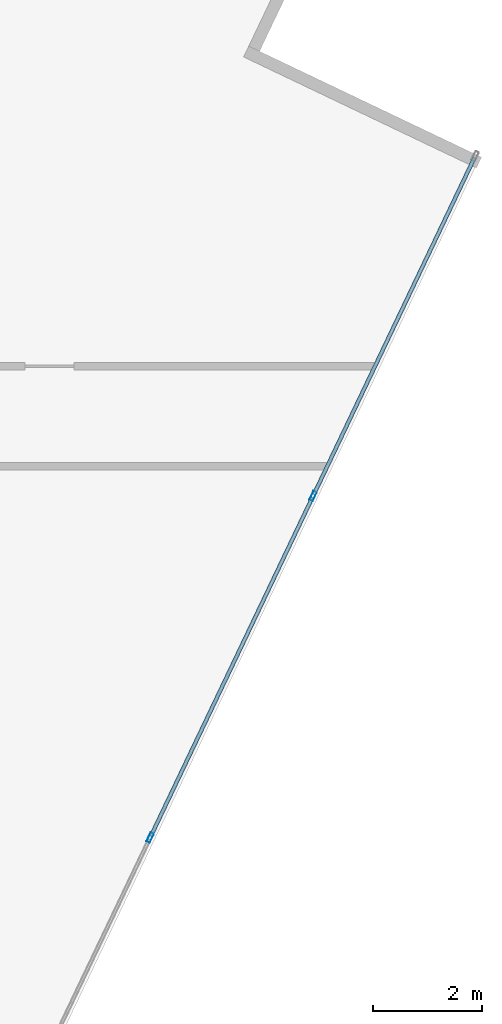
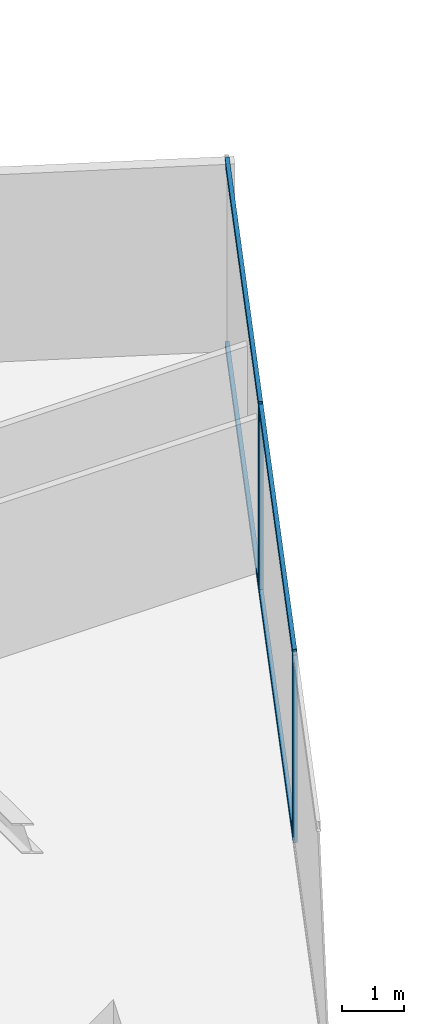
# One storey, part 12 of 25: 6 members, 1 element without a shape of its own.
"""IFC4 building model written with IfcOpenShell, lengths in metres."""

from ifc_helpers import new_model, si_unit, direction, frame, origin, origin_2d, place, context, subcontext, project, spatial, hollow_rectangle, extrude, source, transform, mapped, material, material_profile, profile_set, type_object, type_shapes, element, aggregate, save


model = new_model("IFC4")

# Units and contexts
model_context = context("Model", 3, precision=1e-05, world=origin(), true_north=direction((0.0, 1.0)))
body_context = subcontext(model_context, "Body", "Model", "MODEL_VIEW")
ifc_project = project(units=[si_unit("LENGTHUNIT", "METRE"), si_unit("AREAUNIT", "SQUARE_METRE"), si_unit("VOLUMEUNIT", "CUBIC_METRE"), si_unit("PLANEANGLEUNIT", "RADIAN"), si_unit("MASSUNIT", "GRAM", prefix="KILO")], contexts=[model_context])

# Site, building, storey
site_placement = place(None, origin())
site = spatial("IfcSite", under=ifc_project, at=site_placement, CompositionType="ELEMENT")
building_placement = place(site_placement, origin())
building = spatial("IfcBuilding", under=site, at=building_placement, Name="Krantzveldt Concourse Tower", CompositionType="ELEMENT")
storey_placement = place(building_placement, frame((0.0, 0.0, 146.199951171875)))
storey = spatial("IfcBuildingStorey", under=building, at=storey_placement, Name="L35", CompositionType="ELEMENT", Elevation=146.199951171875)

# Curtain wall, members
ifc_material = material(Name="Anodised aluminium 6063-T6", Category="aluminium")
curtain_wall_type = type_object("IfcCurtainWallType", Name="CW3", PredefinedType="USERDEFINED", material=ifc_material)
curtain_wall_placement = place(storey_placement, origin())
curtain_wall = element("IfcCurtainWall", 1, at=curtain_wall_placement, inside=storey, type_object=curtain_wall_type, Name="CW-L35-F07", ObjectType="UNITISED CURTAIN WALL", PredefinedType="USERDEFINED")
ifc_material_profile_1 = material_profile(ifc_material, hollow_rectangle(XDim=0.070068359375, YDim=0.179931640625, WallThickness=0.0048828125, at=origin_2d()), Name="Anodised aluminium 6063-T6", Category="aluminium")
ifc_profile_set_1 = profile_set([ifc_material_profile_1], Name="Anodised aluminium 6063-T6 - ALU-MULL 180x70x5")
member_type_1 = type_object("IfcMemberType", Name="CW-MUL-180", PredefinedType="MULLION", material=ifc_profile_set_1)
shared_shape_1 = source(origin(), body_context, "Body", "SweptSolid", [
    extrude(hollow_rectangle(XDim=0.070068359375, YDim=0.179931640625, WallThickness=0.0048828125, at=origin_2d()), origin(), (0.0, 0.0, 1.0), 3.670166015625),
])
type_shapes(member_type_1, [shared_shape_1])
member_1_placement = place(storey_placement, frame((57.18359375, 20.45166015625, 0.0), z_axis=(0.0, 0.0, 1.0), x_axis=(-0.902585252784, 0.430511162987, 0.0)))
member_1 = element("IfcMember", 2, at=member_1_placement, type_object=member_type_1, Name="CW-Z34 mullion 4", PredefinedType="MULLION", context=body_context, shape_type="MappedRepresentation", body=[
    mapped(shared_shape_1, transform((0.0, 0.0, 0.0), x_axis=(1.0, 0.0, 0.0), y_axis=(0.0, 1.0, 0.0), z_axis=(0.0, 0.0, 1.0), scale=1.0)),
])
member_2_placement = place(storey_placement, frame((60.179931640625, 26.733642578125, 0.0), z_axis=(0.0, 0.0, 1.0), x_axis=(-0.902585252784, 0.430511162987, 0.0)))
member_2 = element("IfcMember", 3, at=member_2_placement, type_object=member_type_1, Name="CW-Z34 mullion 5", PredefinedType="MULLION", context=body_context, shape_type="MappedRepresentation", body=[
    mapped(shared_shape_1, transform((0.0, 0.0, 0.0), x_axis=(1.0, 0.0, 0.0), y_axis=(0.0, 1.0, 0.0), z_axis=(0.0, 0.0, 1.0), scale=1.0)),
])
ifc_material_profile_2 = material_profile(ifc_material, hollow_rectangle(XDim=0.070068359375, YDim=0.139892578125, WallThickness=0.0048828125, at=origin_2d()), Name="Anodised aluminium 6063-T6", Category="aluminium")
ifc_profile_set_2 = profile_set([ifc_material_profile_2], Name="Anodised aluminium 6063-T6 - ALU-TRAN 140x70x5")
member_type_2 = type_object("IfcMemberType", Name="CW-TRN-150", PredefinedType="USERDEFINED", material=ifc_profile_set_2)
shared_shape_2 = source(origin(), body_context, "Body", "SweptSolid", [
    extrude(hollow_rectangle(XDim=0.070068359375, YDim=0.139892578125, WallThickness=0.0048828125, at=origin_2d()), origin(), (0.0, 0.0, 1.0), 6.85498046875),
])
member_3_placement = place(storey_placement, frame((60.195068359375, 26.76513671875, 0.03515625), z_axis=(0.430511360105, 0.902585158764, 0.0), x_axis=(-0.902585158764, 0.430511360105, 0.0)))
member_3 = element("IfcMember", 4, at=member_3_placement, type_object=member_type_2, Name="CW-Z34 transom 5.1", ObjectType="TRANSOM", PredefinedType="USERDEFINED", context=body_context, shape_type="MappedRepresentation", body=[
    mapped(shared_shape_2, transform((0.0, 0.0, 0.0), x_axis=(1.0, 0.0, 0.0), y_axis=(0.0, 1.0, 0.0), z_axis=(0.0, 0.0, 1.0), scale=1.0)),
])
member_4_placement = place(storey_placement, frame((60.195068359375, 26.76513671875, 3.635009765625), z_axis=(0.430511360105, 0.902585158764, 0.0), x_axis=(-0.902585158764, 0.430511360105, 0.0)))
member_4 = element("IfcMember", 5, at=member_4_placement, type_object=member_type_2, Name="CW-Z34 transom 5.2", ObjectType="TRANSOM", PredefinedType="USERDEFINED", context=body_context, shape_type="MappedRepresentation", body=[
    mapped(shared_shape_2, transform((0.0, 0.0, 0.0), x_axis=(1.0, 0.0, 0.0), y_axis=(0.0, 1.0, 0.0), z_axis=(0.0, 0.0, 1.0), scale=1.0)),
])
shared_shape_3 = source(origin(), body_context, "Body", "SweptSolid", [
    extrude(hollow_rectangle(XDim=0.070068359375, YDim=0.139892578125, WallThickness=0.0048828125, at=origin_2d()), origin(), (0.0, 0.0, 1.0), 6.889892578125),
])
type_shapes(member_type_2, [shared_shape_2, shared_shape_3])
member_5_placement = place(storey_placement, frame((57.19873046875, 20.483154296875, 0.03515625), z_axis=(0.430496063592, 0.902592454673, 0.0), x_axis=(-0.902592454673, 0.430496063592, 0.0)))
member_5 = element("IfcMember", 6, at=member_5_placement, type_object=member_type_2, Name="CW-Z34 transom 4.1", ObjectType="TRANSOM", PredefinedType="USERDEFINED", context=body_context, shape_type="MappedRepresentation", body=[
    mapped(shared_shape_3, transform((0.0, 0.0, 0.0), x_axis=(1.0, 0.0, 0.0), y_axis=(0.0, 1.0, 0.0), z_axis=(0.0, 0.0, 1.0), scale=1.0)),
])
member_6_placement = place(storey_placement, frame((57.19873046875, 20.483154296875, 3.635009765625), z_axis=(0.430496063592, 0.902592454673, 0.0), x_axis=(-0.902592454673, 0.430496063592, 0.0)))
member_6 = element("IfcMember", 7, at=member_6_placement, type_object=member_type_2, Name="CW-Z34 transom 4.2", ObjectType="TRANSOM", PredefinedType="USERDEFINED", context=body_context, shape_type="MappedRepresentation", body=[
    mapped(shared_shape_3, transform((0.0, 0.0, 0.0), x_axis=(1.0, 0.0, 0.0), y_axis=(0.0, 1.0, 0.0), z_axis=(0.0, 0.0, 1.0), scale=1.0)),
])
aggregate(curtain_wall, [member_1, member_2, member_5, member_6, member_3, member_4])

save(model, "model.ifc")
